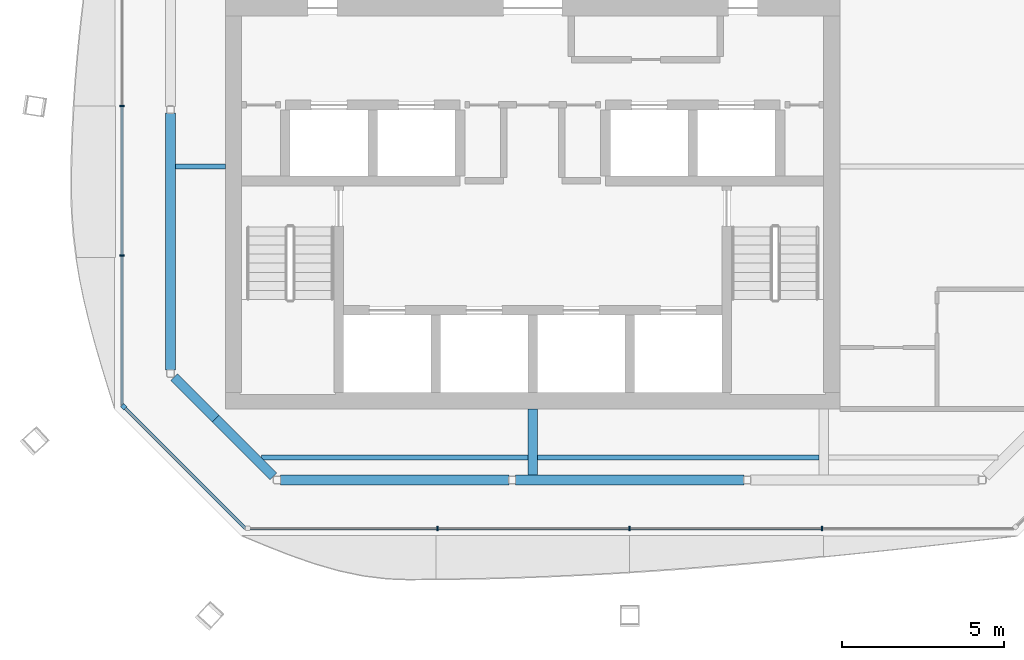
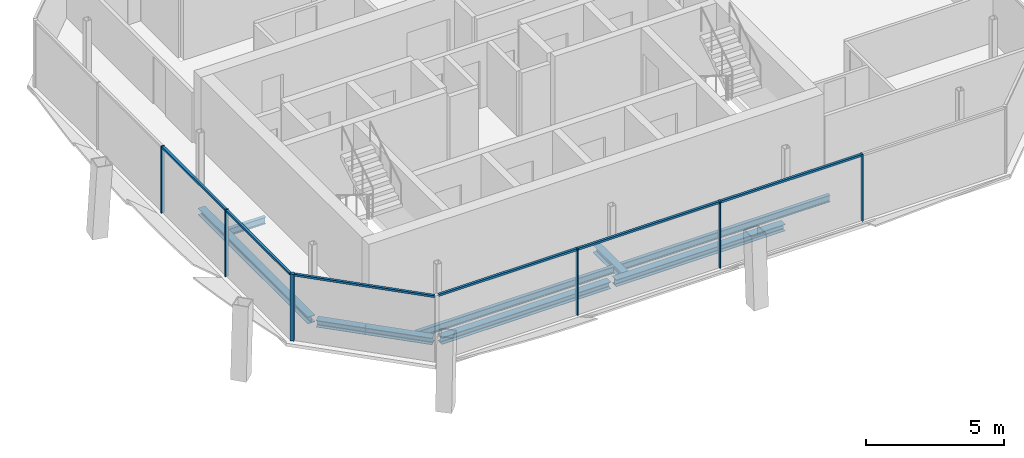
# One storey, part 3 of 13: 12 members, 9 beams, 3 elements without a shape of their own.
"""IFC4 building model written with IfcOpenShell, lengths in metres."""

from ifc_helpers import new_model, si_unit, direction, frame, origin, origin_2d, place, context, subcontext, project, spatial, rectangle, i_section, extrude, material, material_profile, profile_set, type_object, element, aggregate, save


model = new_model("IFC4")

# Units and contexts
model_context = context("Model", 3, precision=1e-05, world=origin(), true_north=direction((0.0, 1.0)))
body_context = subcontext(model_context, "Body", "Model", "MODEL_VIEW")
ifc_project = project(units=[si_unit("LENGTHUNIT", "METRE"), si_unit("AREAUNIT", "SQUARE_METRE"), si_unit("VOLUMEUNIT", "CUBIC_METRE"), si_unit("PLANEANGLEUNIT", "RADIAN"), si_unit("MASSUNIT", "GRAM", prefix="KILO")], contexts=[model_context])

# Site, building, storey
site_placement = place(None, origin())
site = spatial("IfcSite", under=ifc_project, at=site_placement, CompositionType="ELEMENT")
building_placement = place(site_placement, origin())
building = spatial("IfcBuilding", under=site, at=building_placement, Name="Tskaro Facet Tower", CompositionType="ELEMENT")
storey_placement = place(building_placement, frame((0.0, 0.0, 284.699951171875)))
storey = spatial("IfcBuildingStorey", under=building, at=storey_placement, Name="L76", CompositionType="ELEMENT", Elevation=284.699951171875)

# Curtain wall, member
ifc_material_1 = material(Name="Bronze anodised aluminium 6063-T6", Category="aluminium")
curtain_wall_type = type_object("IfcCurtainWallType", Name="Bronze residence curtain wall (FW3)", PredefinedType="NOTDEFINED", material=ifc_material_1)
curtain_wall_1_placement = place(storey_placement, origin())
curtain_wall_1 = element("IfcCurtainWall", 1, at=curtain_wall_1_placement, inside=storey, type_object=curtain_wall_type, Name="FW3 south-west facet L76", PredefinedType="NOTDEFINED")
ifc_material_profile_1 = material_profile(ifc_material_1, rectangle(XDim=0.139892578125, YDim=0.139892578125, at=origin_2d()), Name="Corner post 140x140")
ifc_profile_set_1 = profile_set([ifc_material_profile_1], Name="Bronze anodised aluminium 6063-T6")
member_type_1 = type_object("IfcMemberType", Name="FW3 bronze corner post 140x140", PredefinedType="MULLION", material=ifc_profile_set_1)
member_1_placement = place(storey_placement, frame((-12.6484375, -11.9365234375, 0.0), z_axis=(0.0, 0.0, 1.0), x_axis=(0.707106781187, -0.707106781187, 0.0)))
member_1 = element("IfcMember", 2, at=member_1_placement, type_object=member_type_1, Name="FW3 south-west corner post", PredefinedType="MULLION", context=body_context, shape_type="SweptSolid", body=[
    extrude(rectangle(XDim=0.139892578125, YDim=0.139892578125, at=origin_2d()), origin(), (0.0, 0.0, 1.0), 2.949951171875),
])

# Curtain wall, members
curtain_wall_2_placement = place(storey_placement, origin())
curtain_wall_2 = element("IfcCurtainWall", 3, at=curtain_wall_2_placement, inside=storey, type_object=curtain_wall_type, Name="FW3 south facet L76", PredefinedType="NOTDEFINED")
ifc_material_profile_2 = material_profile(ifc_material_1, rectangle(XDim=0.050048828125, YDim=0.139892578125, at=origin_2d()), Name="Mullion 50x140")
ifc_profile_set_2 = profile_set([ifc_material_profile_2], Name="Bronze anodised aluminium 6063-T6")
member_type_2 = type_object("IfcMemberType", Name="FW3 bronze mullion 50x140", PredefinedType="MULLION", material=ifc_profile_set_2)
member_2_placement = place(storey_placement, frame((-2.943603515625, -15.697998046875, 0.0), z_axis=(0.0, 0.0, 1.0), x_axis=(1.0, 0.0, 0.0)))
member_2 = element("IfcMember", 4, at=member_2_placement, type_object=member_type_2, Name="FW3 south mullion 1", PredefinedType="MULLION", context=body_context, shape_type="SweptSolid", body=[
    extrude(rectangle(XDim=0.050048828125, YDim=0.139892578125, at=origin_2d()), origin(), (0.0, 0.0, 1.0), 2.949951171875),
])
member_3_placement = place(storey_placement, frame((3.0, -15.697998046875, 0.0), z_axis=(0.0, 0.0, 1.0), x_axis=(1.0, 0.0, 0.0)))
member_3 = element("IfcMember", 5, at=member_3_placement, type_object=member_type_2, Name="FW3 south mullion 2", PredefinedType="MULLION", context=body_context, shape_type="SweptSolid", body=[
    extrude(rectangle(XDim=0.050048828125, YDim=0.139892578125, at=origin_2d()), origin(), (0.0, 0.0, 1.0), 2.949951171875),
])
member_4_placement = place(storey_placement, frame((8.943603515625, -15.697998046875, 0.0), z_axis=(0.0, 0.0, 1.0), x_axis=(1.0, 0.0, 0.0)))
member_4 = element("IfcMember", 6, at=member_4_placement, type_object=member_type_2, Name="FW3 south mullion 3", PredefinedType="MULLION", context=body_context, shape_type="SweptSolid", body=[
    extrude(rectangle(XDim=0.050048828125, YDim=0.139892578125, at=origin_2d()), origin(), (0.0, 0.0, 1.0), 2.949951171875),
])

curtain_wall_3_placement = place(storey_placement, origin())
curtain_wall_3 = element("IfcCurtainWall", 7, at=curtain_wall_3_placement, inside=storey, type_object=curtain_wall_type, Name="FW3 west facet L76", PredefinedType="NOTDEFINED")
member_5_placement = place(storey_placement, frame((-12.697998046875, -2.630615234375, 0.0), z_axis=(0.0, 0.0, 1.0), x_axis=(0.0, -1.0, 0.0)))
member_5 = element("IfcMember", 8, at=member_5_placement, type_object=member_type_2, Name="FW3 west mullion 2", PredefinedType="MULLION", context=body_context, shape_type="SweptSolid", body=[
    extrude(rectangle(XDim=0.050048828125, YDim=0.139892578125, at=origin_2d()), origin(), (0.0, 0.0, 1.0), 2.949951171875),
])
member_6_placement = place(storey_placement, frame((-12.697998046875, -7.2587890625, 0.0), z_axis=(0.0, 0.0, 1.0), x_axis=(0.0, -1.0, 0.0)))
member_6 = element("IfcMember", 9, at=member_6_placement, type_object=member_type_2, Name="FW3 west mullion 3", PredefinedType="MULLION", context=body_context, shape_type="SweptSolid", body=[
    extrude(rectangle(XDim=0.050048828125, YDim=0.139892578125, at=origin_2d()), origin(), (0.0, 0.0, 1.0), 2.949951171875),
])

# Member
ifc_material_profile_3 = material_profile(ifc_material_1, rectangle(XDim=0.10009765625, YDim=0.090087890625, at=origin_2d()), Name="Transom 100x90")
ifc_profile_set_3 = profile_set([ifc_material_profile_3], Name="Bronze anodised aluminium 6063-T6")
member_type_3 = type_object("IfcMemberType", Name="FW3 bronze transom 100x90", PredefinedType="USERDEFINED", material=ifc_profile_set_3)
member_7_placement = place(storey_placement, frame((-8.7470703125, -15.697998046875, 2.905029296875), z_axis=(1.0, 0.0, 0.0), x_axis=(0.0, 1.0, 0.0)))
member_7 = element("IfcMember", 10, at=member_7_placement, type_object=member_type_3, Name="FW3 south transom 1.1", ObjectType="TRANSOM", PredefinedType="USERDEFINED", context=body_context, shape_type="SweptSolid", body=[
    extrude(rectangle(XDim=0.10009765625, YDim=0.090087890625, at=origin_2d()), origin(), (0.0, 0.0, 1.0), 5.778564453125),
])

member_8_placement = place(storey_placement, frame((-2.91845703125, -15.697998046875, 2.905029296875), z_axis=(1.0, 0.0, 0.0), x_axis=(0.0, 1.0, 0.0)))
member_8 = element("IfcMember", 11, at=member_8_placement, type_object=member_type_3, Name="FW3 south transom 2.1", ObjectType="TRANSOM", PredefinedType="USERDEFINED", context=body_context, shape_type="SweptSolid", body=[
    extrude(rectangle(XDim=0.10009765625, YDim=0.090087890625, at=origin_2d()), origin(), (0.0, 0.0, 1.0), 5.8935546875),
])

member_9_placement = place(storey_placement, frame((3.02490234375, -15.697998046875, 2.905029296875), z_axis=(1.0, 0.0, 0.0), x_axis=(0.0, 1.0, 0.0)))
member_9 = element("IfcMember", 12, at=member_9_placement, type_object=member_type_3, Name="FW3 south transom 3.1", ObjectType="TRANSOM", PredefinedType="USERDEFINED", context=body_context, shape_type="SweptSolid", body=[
    extrude(rectangle(XDim=0.10009765625, YDim=0.090087890625, at=origin_2d()), origin(), (0.0, 0.0, 1.0), 5.8935546875),
])

aggregate(curtain_wall_2, [member_2, member_3, member_4, member_7, member_8, member_9])

member_10_placement = place(storey_placement, frame((-12.697998046875, -2.655517578125, 2.905029296875), z_axis=(0.0, -1.0, 0.0), x_axis=(1.0, 0.0, 0.0)))
member_10 = element("IfcMember", 13, at=member_10_placement, type_object=member_type_3, Name="FW3 west transom 3.1", ObjectType="TRANSOM", PredefinedType="USERDEFINED", context=body_context, shape_type="SweptSolid", body=[
    extrude(rectangle(XDim=0.10009765625, YDim=0.090087890625, at=origin_2d()), origin(), (0.0, 0.0, 1.0), 4.578125),
])

member_11_placement = place(storey_placement, frame((-12.697998046875, -7.28369140625, 2.905029296875), z_axis=(0.0, -1.0, 0.0), x_axis=(1.0, 0.0, 0.0)))
member_11 = element("IfcMember", 14, at=member_11_placement, type_object=member_type_3, Name="FW3 west transom 4.1", ObjectType="TRANSOM", PredefinedType="USERDEFINED", context=body_context, shape_type="SweptSolid", body=[
    extrude(rectangle(XDim=0.10009765625, YDim=0.090087890625, at=origin_2d()), origin(), (0.0, 0.0, 1.0), 4.603271484375),
])

aggregate(curtain_wall_3, [member_5, member_6, member_10, member_11])

member_12_placement = place(storey_placement, frame((-12.59912109375, -11.986083984375, 2.905029296875), z_axis=(0.707130034012, -0.707083527597, 0.0), x_axis=(0.707083527597, 0.707130034012, 0.0)))
member_12 = element("IfcMember", 15, at=member_12_placement, type_object=member_type_3, Name="FW3 south-west transom 1.1", ObjectType="TRANSOM", PredefinedType="USERDEFINED", context=body_context, shape_type="SweptSolid", body=[
    extrude(rectangle(XDim=0.10009765625, YDim=0.090087890625, at=origin_2d()), origin(), (0.0, 0.0, 1.0), 5.24951171875),
])

aggregate(curtain_wall_1, [member_1, member_12])

# Beams
ifc_material_2 = material(Name="Steel S355J2", Category="steel")
ifc_material_profile_4 = material_profile(ifc_material_2, i_section(OverallWidth=0.300048828125, OverallDepth=0.300048828125, WebThickness=0.010986328125, FlangeThickness=0.01904296875, FilletRadius=0.027099609375, at=origin_2d()), Name="HE 300 B")
ifc_profile_set_4 = profile_set([ifc_material_profile_4], Name="Steel S355J2")
beam_type_1 = type_object("IfcBeamType", Name="HE 300 B ring beam", PredefinedType="BEAM", material=ifc_profile_set_4)
beam_1_placement = place(storey_placement, frame((-7.798095703125, -14.199951171875, -0.2900390625), z_axis=(1.0, 0.0, 0.0), x_axis=(0.0, 1.0, 0.0)))
element("IfcBeam", 16, at=beam_1_placement, inside=storey, type_object=beam_type_1, Name="HE 300 B EB1-6", PredefinedType="BEAM", context=body_context, shape_type="SweptSolid", body=[
    extrude(i_section(OverallWidth=0.300048828125, OverallDepth=0.300048828125, WebThickness=0.010986328125, FlangeThickness=0.01904296875, FilletRadius=0.027099609375, at=origin_2d()), origin(), (0.0, 0.0, 1.0), 7.05908203125),
])
beam_2_placement = place(storey_placement, frame((-0.529052734375, -14.199951171875, -0.2900390625), z_axis=(1.0, 0.0, 0.0), x_axis=(0.0, 1.0, 0.0)))
element("IfcBeam", 17, at=beam_2_placement, inside=storey, type_object=beam_type_1, Name="HE 300 B EB2-6", PredefinedType="BEAM", context=body_context, shape_type="SweptSolid", body=[
    extrude(i_section(OverallWidth=0.300048828125, OverallDepth=0.300048828125, WebThickness=0.010986328125, FlangeThickness=0.01904296875, FilletRadius=0.027099609375, at=origin_2d()), origin(), (0.0, 0.0, 1.0), 7.05810546875),
])
beam_3_placement = place(storey_placement, frame((-11.199951171875, -2.85498046875, -0.2900390625), z_axis=(0.0, -1.0, 0.0), x_axis=(1.0, 0.0, 0.0)))
element("IfcBeam", 18, at=beam_3_placement, inside=storey, type_object=beam_type_1, Name="HE 300 B EB14-6", PredefinedType="BEAM", context=body_context, shape_type="SweptSolid", body=[
    extrude(i_section(OverallWidth=0.300048828125, OverallDepth=0.300048828125, WebThickness=0.010986328125, FlangeThickness=0.01904296875, FilletRadius=0.027099609375, at=origin_2d()), origin(), (0.0, 0.0, 1.0), 7.943115234375),
])
beam_4_placement = place(storey_placement, frame((-11.089111328125, -11.013916015625, -0.2900390625), z_axis=(0.707106781187, -0.707106781187, 0.0), x_axis=(0.707106781187, 0.707106781187, 0.0)))
element("IfcBeam", 19, at=beam_4_placement, inside=storey, type_object=beam_type_1, Name="HE 300 B EB15a-6", PredefinedType="BEAM", context=body_context, shape_type="SweptSolid", body=[
    extrude(i_section(OverallWidth=0.300048828125, OverallDepth=0.300048828125, WebThickness=0.010986328125, FlangeThickness=0.01904296875, FilletRadius=0.027099609375, at=origin_2d()), origin(), (0.0, 0.0, 1.0), 1.821044921875),
])
beam_5_placement = place(storey_placement, frame((-9.801513671875, -12.301513671875, -0.2900390625), z_axis=(0.707106781187, -0.707106781187, 0.0), x_axis=(0.707106781187, 0.707106781187, 0.0)))
element("IfcBeam", 20, at=beam_5_placement, inside=storey, type_object=beam_type_1, Name="HE 300 B EB15b-6", PredefinedType="BEAM", context=body_context, shape_type="SweptSolid", body=[
    extrude(i_section(OverallWidth=0.300048828125, OverallDepth=0.300048828125, WebThickness=0.010986328125, FlangeThickness=0.01904296875, FilletRadius=0.027099609375, at=origin_2d()), origin(), (0.0, 0.0, 1.0), 2.528076171875),
])
ifc_material_profile_5 = material_profile(ifc_material_2, i_section(OverallWidth=0.300048828125, OverallDepth=0.330078125, WebThickness=0.009521484375, FlangeThickness=0.0166015625, FilletRadius=0.027099609375, at=origin_2d()), Name="HE 340 A")
ifc_profile_set_5 = profile_set([ifc_material_profile_5], Name="Steel S355J2")
beam_type_2 = type_object("IfcBeamType", Name="HE 340 A girder", PredefinedType="BEAM", material=ifc_profile_set_5)
beam_6_placement = place(storey_placement, frame((0.0, -14.050048828125, -0.304931640625), z_axis=(0.0, 1.0, 0.0), x_axis=(-1.0, 0.0, 0.0)))
element("IfcBeam", 21, at=beam_6_placement, inside=storey, type_object=beam_type_2, Name="HE 340 A GB4-1-6", PredefinedType="BEAM", context=body_context, shape_type="SweptSolid", body=[
    extrude(i_section(OverallWidth=0.300048828125, OverallDepth=0.330078125, WebThickness=0.009521484375, FlangeThickness=0.0166015625, FilletRadius=0.027099609375, at=origin_2d()), origin(), (0.0, 0.0, 1.0), 2.050048828125),
])
ifc_material_profile_6 = material_profile(ifc_material_2, i_section(OverallWidth=0.14990234375, OverallDepth=0.300048828125, WebThickness=0.007080078125, FlangeThickness=0.0107421875, FilletRadius=0.014892578125, at=origin_2d()), Name="IPE 300")
ifc_profile_set_6 = profile_set([ifc_material_profile_6], Name="Steel S355J2")
beam_type_3 = type_object("IfcBeamType", Name="IPE 300 secondary beam", PredefinedType="BEAM", material=ifc_profile_set_6)
beam_7_placement = place(storey_placement, frame((-8.39111328125, -13.5, -0.2900390625), z_axis=(1.0, 0.0, 0.0), x_axis=(0.0, 1.0, 0.0)))
element("IfcBeam", 22, at=beam_7_placement, inside=storey, type_object=beam_type_3, Name="IPE 300 SB2a-1-6", PredefinedType="BEAM", context=body_context, shape_type="SweptSolid", body=[
    extrude(i_section(OverallWidth=0.14990234375, OverallDepth=0.300048828125, WebThickness=0.007080078125, FlangeThickness=0.0107421875, FilletRadius=0.014892578125, at=origin_2d()), origin(), (0.0, 0.0, 1.0), 8.2412109375),
])
beam_8_placement = place(storey_placement, frame((0.14990234375, -13.5, -0.2900390625), z_axis=(1.0, 0.0, 0.0), x_axis=(0.0, 1.0, 0.0)))
element("IfcBeam", 23, at=beam_8_placement, inside=storey, type_object=beam_type_3, Name="IPE 300 SB2a-2-6", PredefinedType="BEAM", context=body_context, shape_type="SweptSolid", body=[
    extrude(i_section(OverallWidth=0.14990234375, OverallDepth=0.300048828125, WebThickness=0.007080078125, FlangeThickness=0.0107421875, FilletRadius=0.014892578125, at=origin_2d()), origin(), (0.0, 0.0, 1.0), 8.7001953125),
])
beam_9_placement = place(storey_placement, frame((-11.050048828125, -4.5, -0.2900390625), z_axis=(1.0, 0.0, 0.0), x_axis=(0.0, 1.0, 0.0)))
element("IfcBeam", 24, at=beam_9_placement, inside=storey, type_object=beam_type_3, Name="IPE 300 SB3a-1-6", PredefinedType="BEAM", context=body_context, shape_type="SweptSolid", body=[
    extrude(i_section(OverallWidth=0.14990234375, OverallDepth=0.300048828125, WebThickness=0.007080078125, FlangeThickness=0.0107421875, FilletRadius=0.014892578125, at=origin_2d()), origin(), (0.0, 0.0, 1.0), 1.550048828125),
])

save(model, "model.ifc")
